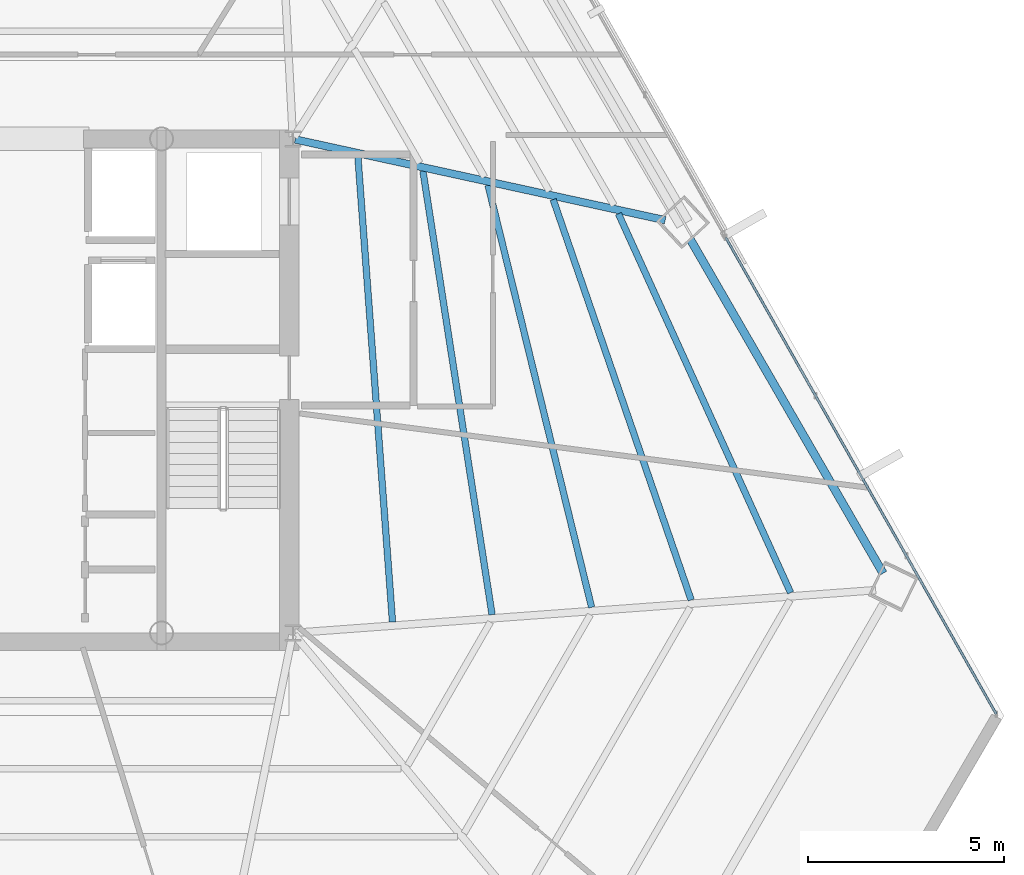
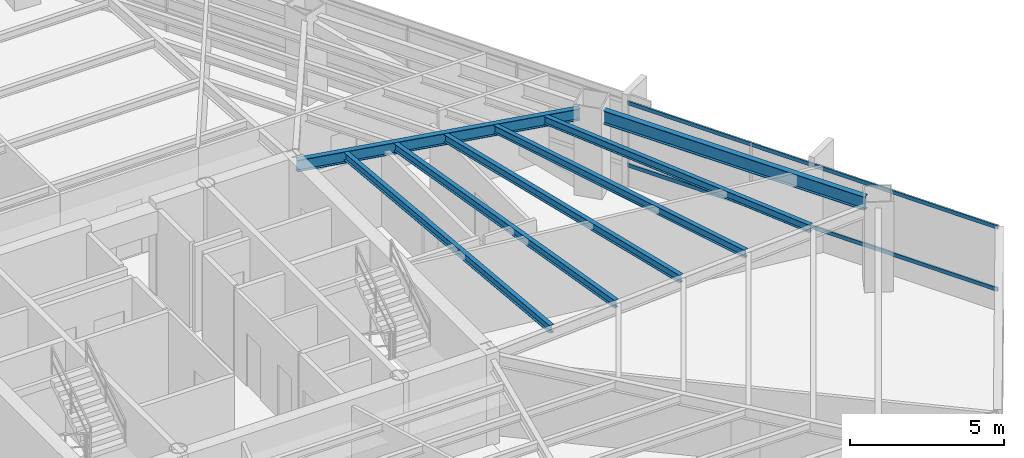
# One storey, part 22 of 41: 7 beams, 2 members, 1 element without a shape of its own.
"""IFC4 building model written with IfcOpenShell, lengths in metres."""

from ifc_helpers import new_model, si_unit, direction, frame, origin, origin_2d, place, context, subcontext, project, spatial, hollow_rectangle, i_section, extrude, source, transform, mapped, material, material_profile, profile_set, type_object, type_shapes, element, aggregate, save


model = new_model("IFC4")

# Units and contexts
model_context = context("Model", 3, precision=1e-05, world=origin(), true_north=direction((0.0, 1.0)))
body_context = subcontext(model_context, "Body", "Model", "MODEL_VIEW")
ifc_project = project(units=[si_unit("LENGTHUNIT", "METRE"), si_unit("AREAUNIT", "SQUARE_METRE"), si_unit("VOLUMEUNIT", "CUBIC_METRE"), si_unit("PLANEANGLEUNIT", "RADIAN"), si_unit("MASSUNIT", "GRAM", prefix="KILO")], contexts=[model_context])

# Site, building, storey
site_placement = place(None, origin())
site = spatial("IfcSite", under=ifc_project, at=site_placement, CompositionType="ELEMENT")
building_placement = place(site_placement, origin())
building = spatial("IfcBuilding", under=site, at=building_placement, Name="Caelisora Broadcast Tower", CompositionType="ELEMENT")
storey_placement = place(building_placement, frame((0.0, 0.0, 135.449951171875)))
storey = spatial("IfcBuildingStorey", under=building, at=storey_placement, Name="L35", CompositionType="ELEMENT", Elevation=135.449951171875)

# Beams
ifc_material_1 = material(Name="Steel Grade 350 (AS/NZS 3679.1)", Category="steel")
ifc_material_profile_1 = material_profile(ifc_material_1, i_section(OverallWidth=0.208984375, OverallDepth=0.532958984375, WebThickness=0.01025390625, FlangeThickness=0.015625, at=origin_2d()), Name="Steel Grade 350 (AS/NZS 3679.1)")
ifc_profile_set_1 = profile_set([ifc_material_profile_1], Name="Steel Grade 350 (AS/NZS 3679.1)")
beam_type_1 = type_object("IfcBeamType", Name="PG05", PredefinedType="BEAM", material=ifc_profile_set_1)
shared_shape_1 = source(origin(), body_context, "Body", "SweptSolid", [
    extrude(i_section(OverallWidth=0.208984375, OverallDepth=0.532958984375, WebThickness=0.01025390625, FlangeThickness=0.015625, at=origin_2d()), origin(), (0.0, 0.0, 1.0), 9.8359375),
])
type_shapes(beam_type_1, [shared_shape_1])
beam_1_placement = place(storey_placement, frame((60.552001953125, 18.921630859375, 3.133544921875), z_axis=(-0.500004637421, 0.866022726352, 0.0), x_axis=(-0.866022726352, -0.500004637421, 0.0)))
element("IfcBeam", 1, at=beam_1_placement, inside=storey, type_object=beam_type_1, Name="L35 beam PG05", PredefinedType="BEAM", context=body_context, shape_type="MappedRepresentation", body=[
    mapped(shared_shape_1, transform((0.0, 0.0, 0.0), scale=1.0)),
])
ifc_material_profile_2 = material_profile(ifc_material_1, i_section(OverallWidth=0.19091796875, OverallDepth=0.46044921875, WebThickness=0.010009765625, FlangeThickness=0.01611328125, at=origin_2d()), Name="Steel Grade 350 (AS/NZS 3679.1)")
ifc_profile_set_2 = profile_set([ifc_material_profile_2], Name="Steel Grade 350 (AS/NZS 3679.1)")
beam_type_2 = type_object("IfcBeamType", Name="PG06", PredefinedType="BEAM", material=ifc_profile_set_2)
shared_shape_2 = source(origin(), body_context, "Body", "SweptSolid", [
    extrude(i_section(OverallWidth=0.19091796875, OverallDepth=0.46044921875, WebThickness=0.010009765625, FlangeThickness=0.01611328125, at=origin_2d()), origin(), (0.0, 0.0, 1.0), 9.657470703125),
])
type_shapes(beam_type_2, [shared_shape_2])
beam_2_placement = place(storey_placement, frame((45.55859375, 29.9873046875, 3.169921875), z_axis=(0.976995079727, -0.213261844194, 0.0), x_axis=(0.213261844194, 0.976995079727, 0.0)))
element("IfcBeam", 2, at=beam_2_placement, inside=storey, type_object=beam_type_2, Name="L35 beam PG06", PredefinedType="BEAM", context=body_context, shape_type="MappedRepresentation", body=[
    mapped(shared_shape_2, transform((0.0, 0.0, 0.0), scale=1.0)),
])
ifc_material_profile_3 = material_profile(ifc_material_1, i_section(OverallWidth=0.166015625, OverallDepth=0.30712890625, WebThickness=0.006591796875, FlangeThickness=0.01171875, at=origin_2d()), Name="Steel Grade 350 (AS/NZS 3679.1)")
ifc_profile_set_3 = profile_set([ifc_material_profile_3], Name="Steel Grade 350 (AS/NZS 3679.1)")
beam_type_3 = type_object("IfcBeamType", Name="SB03", PredefinedType="JOIST", material=ifc_profile_set_3)
shared_shape_3 = source(origin(), body_context, "Body", "SweptSolid", [
    extrude(i_section(OverallWidth=0.166015625, OverallDepth=0.30712890625, WebThickness=0.006591796875, FlangeThickness=0.01171875, at=origin_2d()), origin(), (0.0, 0.0, 1.0), 11.896728515625),
])
beam_3_placement = place(storey_placement, frame((48.040283203125, 17.679443359375, 3.246337890625), z_axis=(-0.074185384329, 0.997244467897, 0.0), x_axis=(-0.997244467897, -0.074185384329, 0.0)))
element("IfcBeam", 3, at=beam_3_placement, inside=storey, type_object=beam_type_3, Name="L35 beam SB03", PredefinedType="JOIST", context=body_context, shape_type="MappedRepresentation", body=[
    mapped(shared_shape_3, transform((0.0, 0.0, 0.0), scale=1.0)),
])
shared_shape_4 = source(origin(), body_context, "Body", "SweptSolid", [
    extrude(i_section(OverallWidth=0.166015625, OverallDepth=0.30712890625, WebThickness=0.006591796875, FlangeThickness=0.01171875, at=origin_2d()), origin(), (0.0, 0.0, 1.0), 11.451416015625),
])
beam_4_placement = place(storey_placement, frame((50.57958984375, 17.8662109375, 3.246337890625), z_axis=(-0.153948928918, 0.988078806212, 0.0), x_axis=(-0.988078806212, -0.153948928918, 0.0)))
element("IfcBeam", 4, at=beam_4_placement, inside=storey, type_object=beam_type_3, Name="L35 beam SB03", PredefinedType="JOIST", context=body_context, shape_type="MappedRepresentation", body=[
    mapped(shared_shape_4, transform((0.0, 0.0, 0.0), scale=1.0)),
])
shared_shape_5 = source(origin(), body_context, "Body", "SweptSolid", [
    extrude(i_section(OverallWidth=0.166015625, OverallDepth=0.30712890625, WebThickness=0.006591796875, FlangeThickness=0.01171875, at=origin_2d()), origin(), (0.0, 0.0, 1.0), 11.08544921875),
])
beam_5_placement = place(storey_placement, frame((53.11865234375, 18.052734375, 3.246337890625), z_axis=(-0.238315203788, 0.971187862179, 0.0), x_axis=(-0.971187862179, -0.238315203788, 0.0)))
element("IfcBeam", 5, at=beam_5_placement, inside=storey, type_object=beam_type_3, Name="L35 beam SB03", PredefinedType="JOIST", context=body_context, shape_type="MappedRepresentation", body=[
    mapped(shared_shape_5, transform((0.0, 0.0, 0.0), scale=1.0)),
])
shared_shape_6 = source(origin(), body_context, "Body", "SweptSolid", [
    extrude(i_section(OverallWidth=0.166015625, OverallDepth=0.30712890625, WebThickness=0.006591796875, FlangeThickness=0.01171875, at=origin_2d()), origin(), (0.0, 0.0, 1.0), 10.805419921875),
])
beam_6_placement = place(storey_placement, frame((55.656982421875, 18.239501953125, 3.246337890625), z_axis=(-0.325654338591, 0.945488895628, 0.0), x_axis=(-0.945488895628, -0.325654338591, 0.0)))
element("IfcBeam", 6, at=beam_6_placement, inside=storey, type_object=beam_type_3, Name="L35 beam SB03", PredefinedType="JOIST", context=body_context, shape_type="MappedRepresentation", body=[
    mapped(shared_shape_6, transform((0.0, 0.0, 0.0), scale=1.0)),
])
shared_shape_7 = source(origin(), body_context, "Body", "SweptSolid", [
    extrude(i_section(OverallWidth=0.166015625, OverallDepth=0.30712890625, WebThickness=0.006591796875, FlangeThickness=0.01171875, at=origin_2d()), origin(), (0.0, 0.0, 1.0), 10.6181640625),
])
type_shapes(beam_type_3, [shared_shape_3, shared_shape_4, shared_shape_5, shared_shape_6, shared_shape_7])
beam_7_placement = place(storey_placement, frame((58.194091796875, 18.42578125, 3.246337890625), z_axis=(-0.413685142483, 0.910420014548, 0.0), x_axis=(-0.910420014548, -0.413685142483, 0.0)))
element("IfcBeam", 7, at=beam_7_placement, inside=storey, type_object=beam_type_3, Name="L35 beam SB03", PredefinedType="JOIST", context=body_context, shape_type="MappedRepresentation", body=[
    mapped(shared_shape_7, transform((0.0, 0.0, 0.0), scale=1.0)),
])

# Curtain wall, members
ifc_material_2 = material(Name="Unitised Aluminium and Low-E Glass Curtain Wall", Category="glass")
curtain_wall_type = type_object("IfcCurtainWallType", Name="CW-Z3", PredefinedType="NOTDEFINED", material=ifc_material_2)
curtain_wall_placement = place(storey_placement, origin())
curtain_wall = element("IfcCurtainWall", 8, at=curtain_wall_placement, inside=storey, type_object=curtain_wall_type, Name="L35 curtain wall CW-Z3", PredefinedType="NOTDEFINED")
ifc_material_3 = material(Name="Aluminium 6063-T6 Anodised Terracotta Bronze", Category="aluminium")
ifc_material_profile_4 = material_profile(ifc_material_3, hollow_rectangle(XDim=0.06005859375, YDim=0.14990234375, WallThickness=0.00341796875, at=origin_2d()), Name="Aluminium 6063-T6 Anodised Terracotta Bronze")
ifc_profile_set_4 = profile_set([ifc_material_profile_4], Name="Aluminium 6063-T6 Anodised Terracotta Bronze")
member_type = type_object("IfcMemberType", Name="CWT-02", PredefinedType="USERDEFINED", material=ifc_profile_set_4)
shared_shape_8 = source(origin(), body_context, "Body", "SweptSolid", [
    extrude(hollow_rectangle(XDim=0.06005859375, YDim=0.14990234375, WallThickness=0.00341796875, at=origin_2d()), origin(), (0.0, 0.0, 1.0), 13.98046875),
])
type_shapes(member_type, [shared_shape_8])
member_1_placement = place(storey_placement, frame((56.537109375, 27.489013671875, 0.85009765625), z_axis=(0.493626224052, -0.869674163654, 0.0), x_axis=(0.869674163654, 0.493626224052, 0.0)))
member_1 = element("IfcMember", 9, at=member_1_placement, type_object=member_type, Name="L35-CW-B03 transom #1", ObjectType="TRANSOM", PredefinedType="USERDEFINED", context=body_context, shape_type="MappedRepresentation", body=[
    mapped(shared_shape_8, transform((0.0, 0.0, 0.0), scale=1.0)),
])
member_2_placement = place(storey_placement, frame((56.537109375, 27.489013671875, 3.320068359375), z_axis=(0.493626224052, -0.869674163654, 0.0), x_axis=(0.869674163654, 0.493626224052, 0.0)))
member_2 = element("IfcMember", 10, at=member_2_placement, type_object=member_type, Name="L35-CW-B03 transom #2", ObjectType="TRANSOM", PredefinedType="USERDEFINED", context=body_context, shape_type="MappedRepresentation", body=[
    mapped(shared_shape_8, transform((0.0, 0.0, 0.0), scale=1.0)),
])
aggregate(curtain_wall, [member_1, member_2])

save(model, "model.ifc")
